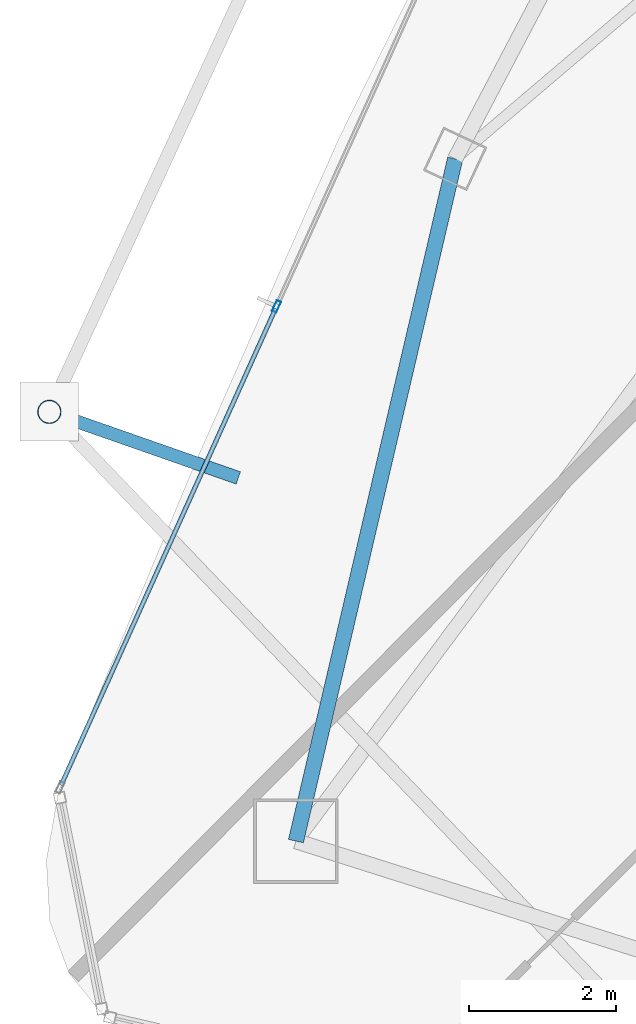
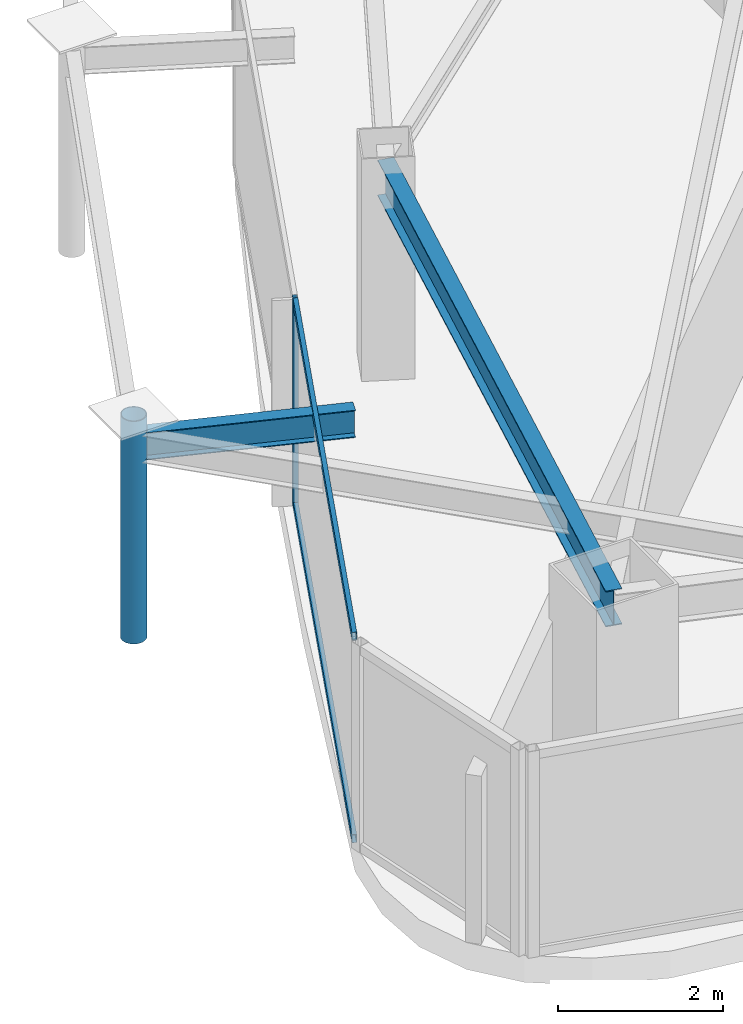
# One storey, part 5 of 29: 4 members, 2 beams, 1 element without a shape of its own.
"""IFC4 building model written with IfcOpenShell, lengths in metres."""

from ifc_helpers import new_model, si_unit, direction, frame, origin, origin_2d, place, context, subcontext, project, spatial, hollow_rectangle, hollow_circle, i_section, extrude, material, layer, layer_set, material_profile, profile_set, type_object, element, aggregate, save


model = new_model("IFC4")

# Units and contexts
model_context = context("Model", 3, precision=1e-05, world=origin(), true_north=direction((0.0, 1.0)))
body_context = subcontext(model_context, "Body", "Model", "MODEL_VIEW")
ifc_project = project(units=[si_unit("LENGTHUNIT", "METRE"), si_unit("AREAUNIT", "SQUARE_METRE"), si_unit("VOLUMEUNIT", "CUBIC_METRE"), si_unit("PLANEANGLEUNIT", "RADIAN"), si_unit("MASSUNIT", "GRAM", prefix="KILO")], contexts=[model_context])

# Site, building, storey
site_placement = place(None, origin())
site = spatial("IfcSite", under=ifc_project, at=site_placement, CompositionType="ELEMENT")
building_placement = place(site_placement, origin())
building = spatial("IfcBuilding", under=site, at=building_placement, Name="Orvanel Arch Residences", CompositionType="ELEMENT")
storey_placement = place(building_placement, frame((0.0, 0.0, 256.85009765625)))
storey = spatial("IfcBuildingStorey", under=building, at=storey_placement, Name="L73", CompositionType="ELEMENT", Elevation=256.85009765625)

# Curtain wall, member
ifc_material_1 = material(Name="Bronze-anodised aluminium AA6063-T6", Category="aluminium")
ifc_layer = layer(ifc_material_1, 0.175048828125)
ifc_layer_set = layer_set([ifc_layer], Name="Bronze-anodised aluminium AA6063-T6")
curtain_wall_type = type_object("IfcCurtainWallType", Name="CW4-HI-SYS", PredefinedType="NOTDEFINED", material=ifc_layer_set)
curtain_wall_placement = place(storey_placement, origin())
curtain_wall = element("IfcCurtainWall", 1, at=curtain_wall_placement, inside=storey, type_object=curtain_wall_type, Name="L73 CW4-HI-SYS Unitised Curtain Wall", PredefinedType="NOTDEFINED")
ifc_material_profile_1 = material_profile(ifc_material_1, hollow_rectangle(XDim=0.06494140625, YDim=0.159912109375, WallThickness=0.00390625, at=origin_2d()), Name="ALU160x65x4")
ifc_profile_set_1 = profile_set([ifc_material_profile_1], Name="Bronze-anodised aluminium AA6063-T6")
member_type_1 = type_object("IfcMemberType", Name="MUL-160x65", PredefinedType="MULLION", material=ifc_profile_set_1)
member_1_placement = place(storey_placement, frame((13.9345703125, 17.632568359375, 0.0), z_axis=(0.0, 0.0, 1.0), x_axis=(0.911907243559, -0.410396368338, 0.0)))
member_1 = element("IfcMember", 2, at=member_1_placement, type_object=member_type_1, Name="CW-S4 mullion 2", PredefinedType="MULLION", context=body_context, shape_type="SweptSolid", body=[
    extrude(hollow_rectangle(XDim=0.06494140625, YDim=0.159912109375, WallThickness=0.00390625, at=origin_2d()), origin(), (0.0, 0.0, 1.0), 3.059814453125),
])

# Beams
ifc_material_2 = material(Name="Structural steel AS/NZS 3679.1 Grade 300 (300 MPa)", Category="steel")
ifc_material_profile_2 = material_profile(ifc_material_2, i_section(OverallWidth=0.177978515625, OverallDepth=0.406005859375, WebThickness=0.0078125, FlangeThickness=0.0126953125, at=origin_2d()), Name="410UB59.7")
ifc_profile_set_2 = profile_set([ifc_material_profile_2], Name="Structural steel AS/NZS 3679.1 Grade 300 (300 MPa)")
beam_type_1 = type_object("IfcBeamType", Name="OB-410UB-EXT", PredefinedType="SPANDREL", material=ifc_profile_set_2)
beam_1_placement = place(storey_placement, frame((13.4140625, 15.297119140625, 2.85693359375), z_axis=(-0.943932339039, 0.330138969703, 0.0), x_axis=(-0.330138969703, -0.943932339039, 0.0)))
element("IfcBeam", 3, at=beam_1_placement, inside=storey, type_object=beam_type_1, Name="L73 Outer Frame Radial Tie Beam 04", PredefinedType="SPANDREL", context=body_context, shape_type="SweptSolid", body=[
    extrude(i_section(OverallWidth=0.177978515625, OverallDepth=0.406005859375, WebThickness=0.0078125, FlangeThickness=0.0126953125, at=origin_2d()), origin(), (0.0, 0.0, 1.0), 2.725830078125),
])
ifc_material_profile_3 = material_profile(ifc_material_2, i_section(OverallWidth=0.208984375, OverallDepth=0.532958984375, WebThickness=0.01025390625, FlangeThickness=0.015625, at=origin_2d()), Name="530UB92.4")
ifc_profile_set_3 = profile_set([ifc_material_profile_3], Name="Structural steel AS/NZS 3679.1 Grade 300 (300 MPa)")
beam_type_2 = type_object("IfcBeamType", Name="SP-530UB", PredefinedType="SPANDREL", material=ifc_profile_set_3)
beam_2_placement = place(storey_placement, frame((16.366943359375, 19.64208984375, 2.7939453125), z_axis=(-0.227236087167, -0.973839699688, 0.0), x_axis=(0.973839699688, -0.227236087167, 0.0)))
element("IfcBeam", 4, at=beam_2_placement, inside=storey, type_object=beam_type_2, Name="L73 Perimeter Spandrel Beam 01", PredefinedType="SPANDREL", context=body_context, shape_type="SweptSolid", body=[
    extrude(i_section(OverallWidth=0.208984375, OverallDepth=0.532958984375, WebThickness=0.01025390625, FlangeThickness=0.015625, at=origin_2d()), origin(), (0.0, 0.0, 1.0), 9.54052734375),
])

# Member
ifc_material_3 = material(Name="Structural steel AS/NZS 1163 C350L0 (Grade 350)", Category="steel")
ifc_material_profile_4 = material_profile(ifc_material_3, hollow_circle(Radius=0.162109375, WallThickness=0.0126953125, at=origin_2d()), Name="CHS324x12.7")
ifc_profile_set_4 = profile_set([ifc_material_profile_4], Name="Structural steel AS/NZS 1163 C350L0 (Grade 350)")
member_type_2 = type_object("IfcMemberType", Name="ST-324CHS-EXT", PredefinedType="STRUT", material=ifc_profile_set_4)
member_2_placement = place(storey_placement, frame((10.841064453125, 16.197021484375, 0.0), z_axis=(0.0, 0.0, 1.0), x_axis=(1.0, 0.0, 0.0)))
element("IfcMember", 5, at=member_2_placement, inside=storey, type_object=member_type_2, Name="L73 Outer Perimeter Frame Post 04", PredefinedType="STRUT", context=body_context, shape_type="SweptSolid", body=[
    extrude(hollow_circle(Radius=0.162109375, WallThickness=0.0126953125, at=origin_2d()), origin(), (0.0, 0.0, 1.0), 3.2998046875),
])

ifc_material_profile_5 = material_profile(ifc_material_1, hollow_rectangle(XDim=0.06005859375, YDim=0.1201171875, WallThickness=0.00341796875, at=origin_2d()), Name="ALU120x60x3.5")
ifc_profile_set_5 = profile_set([ifc_material_profile_5], Name="Bronze-anodised aluminium AA6063-T6")
member_type_3 = type_object("IfcMemberType", Name="TRN-120x60", PredefinedType="USERDEFINED", material=ifc_profile_set_5)
member_3_placement = place(storey_placement, frame((13.921142578125, 17.602783203125, 0.02978515625), z_axis=(-0.410391772086, -0.91190931205, 0.0), x_axis=(0.91190931205, -0.410391772086, 0.0)))
member_3 = element("IfcMember", 6, at=member_3_placement, type_object=member_type_3, Name="CW-S4 transom 2.1", ObjectType="TRANSOM", PredefinedType="USERDEFINED", context=body_context, shape_type="SweptSolid", body=[
    extrude(hollow_rectangle(XDim=0.06005859375, YDim=0.1201171875, WallThickness=0.00341796875, at=origin_2d()), origin(), (0.0, 0.0, 1.0), 7.11865234375),
])

member_4_placement = place(storey_placement, frame((13.921142578125, 17.602783203125, 3.02978515625), z_axis=(-0.410391772086, -0.91190931205, 0.0), x_axis=(0.91190931205, -0.410391772086, 0.0)))
member_4 = element("IfcMember", 7, at=member_4_placement, type_object=member_type_3, Name="CW-S4 transom 2.2", ObjectType="TRANSOM", PredefinedType="USERDEFINED", context=body_context, shape_type="SweptSolid", body=[
    extrude(hollow_rectangle(XDim=0.06005859375, YDim=0.1201171875, WallThickness=0.00341796875, at=origin_2d()), origin(), (0.0, 0.0, 1.0), 7.11865234375),
])

aggregate(curtain_wall, [member_1, member_3, member_4])

save(model, "model.ifc")
